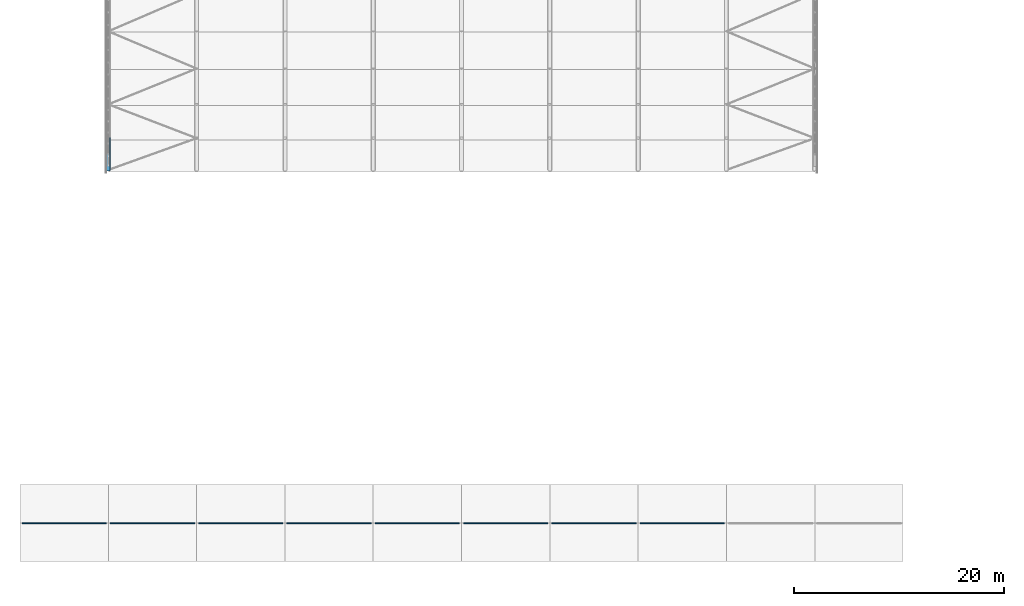
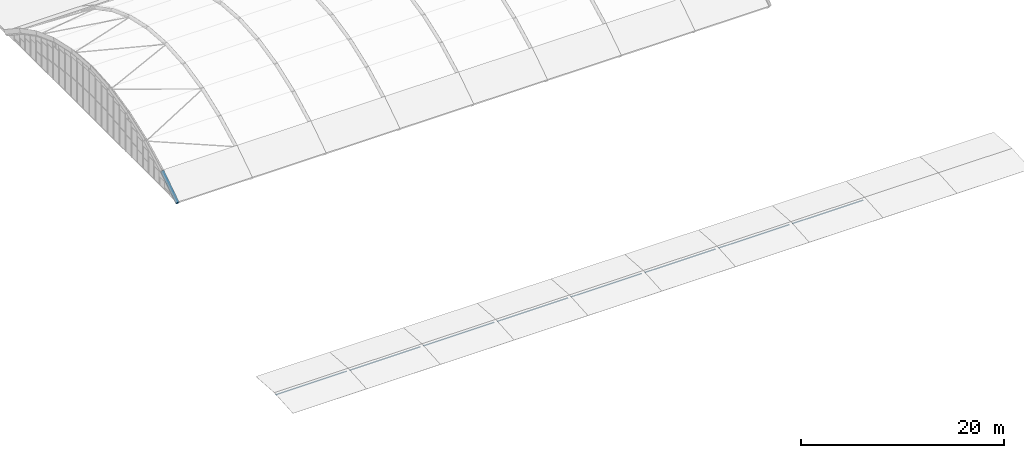
# One storey, part 6 of 77: 9 members.
"""IFC4 building model written with IfcOpenShell, lengths in metres."""

from ifc_helpers import new_model, si_unit, direction, frame, origin, origin_2d, place, context, subcontext, project, spatial, hollow_circle, extrude, material, material_profile, profile_set, type_object, element, save


model = new_model("IFC4")

# Units and contexts
model_context = context("Model", 3, precision=1e-05, world=origin(), true_north=direction((0.0, 1.0)))
body_context = subcontext(model_context, "Body", "Model", "MODEL_VIEW")
ifc_project = project(units=[si_unit("LENGTHUNIT", "METRE"), si_unit("AREAUNIT", "SQUARE_METRE"), si_unit("VOLUMEUNIT", "CUBIC_METRE"), si_unit("PLANEANGLEUNIT", "RADIAN"), si_unit("MASSUNIT", "GRAM", prefix="KILO")], contexts=[model_context])

# Site, building, storey
site_placement = place(None, origin())
site = spatial("IfcSite", under=ifc_project, at=site_placement, CompositionType="ELEMENT")
building_placement = place(site_placement, origin())
building = spatial("IfcBuilding", under=site, at=building_placement, Name="Catenary Quay Ferry Terminal", CompositionType="ELEMENT")
storey_placement = place(building_placement, frame((0.0, 0.0, 10.800048828125)))
storey = spatial("IfcBuildingStorey", under=building, at=storey_placement, Name="L02", CompositionType="ELEMENT", Elevation=10.800048828125)

# Members
ifc_material_1 = material(Name="Steel S355", Category="steel")
ifc_material_profile_1 = material_profile(ifc_material_1, hollow_circle(Radius=0.06982421875, WallThickness=0.008056640625, at=origin_2d()), Name="CHS 139.7x8")
ifc_profile_set_1 = profile_set([ifc_material_profile_1], Name="Steel S355")
member_type_1 = type_object("IfcMemberType", Name="PU1 CHS 139.7x8", PredefinedType="PURLIN", material=ifc_profile_set_1)
member_1_placement = place(storey_placement, frame((16.971923828125, 33.60009765625, 0.199951171875), z_axis=(1.0, 0.0, 0.0), x_axis=(0.0, 1.0, 0.0)))
element("IfcMember", 1, at=member_1_placement, inside=storey, type_object=member_type_1, Name="Purlin PU-CA-01-05", PredefinedType="PURLIN", context=body_context, shape_type="SweptSolid", body=[
    extrude(hollow_circle(Radius=0.06982421875, WallThickness=0.008056640625, at=origin_2d()), origin(), (0.0, 0.0, 1.0), 8.05615234375),
])
for number, where, z_axis, x_axis, name in (
    (2, (25.3720703125, 33.60009765625, 0.199951171875), (1.0, 0.0, 0.0), (0.0, 1.0, 0.0), "Purlin PU-CA-02-05"),
    (3, (33.77197265625, 33.60009765625, 0.199951171875), (1.0, 0.0, 0.0), (0.0, 1.0, 0.0), "Purlin PU-CA-03-05"),
    (4, (42.172119140625, 33.60009765625, 0.199951171875), (1.0, 0.0, 0.0), (0.0, 1.0, 0.0), "Purlin PU-CA-04-05"),
    (5, (50.572021484375, 33.60009765625, 0.199951171875), (1.0, 0.0, 0.0), (0.0, 1.0, 0.0), "Purlin PU-CA-05-05"),
):
    element("IfcMember", number, at=place(storey_placement, frame(where, z_axis=z_axis, x_axis=x_axis)), inside=storey, type_object=member_type_1, Name=name, PredefinedType="PURLIN", context=body_context, shape_type="SweptSolid", body=[
        extrude(hollow_circle(Radius=0.06982421875, WallThickness=0.008056640625, at=origin_2d()), origin(), (0.0, 0.0, 1.0), 8.055908203125),
    ])
member_2_placement = place(storey_placement, frame((58.971923828125, 33.60009765625, 0.199951171875), z_axis=(1.0, 0.0, 0.0), x_axis=(0.0, 1.0, 0.0)))
element("IfcMember", 6, at=member_2_placement, inside=storey, type_object=member_type_1, Name="Purlin PU-CA-06-05", PredefinedType="PURLIN", context=body_context, shape_type="SweptSolid", body=[
    extrude(hollow_circle(Radius=0.06982421875, WallThickness=0.008056640625, at=origin_2d()), origin(), (0.0, 0.0, 1.0), 8.05615234375),
])
for number, where, z_axis, x_axis, name in (
    (7, (67.3720703125, 33.60009765625, 0.199951171875), (1.0, 0.0, 0.0), (0.0, 1.0, 0.0), "Purlin PU-CA-07-05"),
    (8, (75.77197265625, 33.60009765625, 0.199951171875), (1.0, 0.0, 0.0), (0.0, 1.0, 0.0), "Purlin PU-CA-08-05"),
):
    element("IfcMember", number, at=place(storey_placement, frame(where, z_axis=z_axis, x_axis=x_axis)), inside=storey, type_object=member_type_1, Name=name, PredefinedType="PURLIN", context=body_context, shape_type="SweptSolid", body=[
        extrude(hollow_circle(Radius=0.06982421875, WallThickness=0.008056640625, at=origin_2d()), origin(), (0.0, 0.0, 1.0), 8.055908203125),
    ])
ifc_material_2 = material(Name="Steel S355", Category="steel")
ifc_material_profile_2 = material_profile(ifc_material_2, hollow_circle(Radius=0.203125, WallThickness=0.01611328125, at=origin_2d()), Name="CHS 406.4x16")
ifc_profile_set_2 = profile_set([ifc_material_profile_2], Name="Steel S355")
member_type_2 = type_object("IfcMemberType", Name="VR3 CHS 406.4x16", PredefinedType="RAFTER", material=ifc_profile_set_2)
member_3_placement = place(storey_placement, frame((25.199951171875, 67.199951171875, 0.0), z_axis=(0.0, 0.831936388081, 0.554871017613), x_axis=(-1.0, 0.0, 0.0)))
element("IfcMember", 9, at=member_3_placement, inside=storey, type_object=member_type_2, Name="Vault rib VA-01-01", PredefinedType="RAFTER", context=body_context, shape_type="SweptSolid", body=[
    extrude(hollow_circle(Radius=0.203125, WallThickness=0.01611328125, at=origin_2d()), origin(), (0.0, 0.0, 1.0), 3.627685546875),
])

save(model, "model.ifc")
